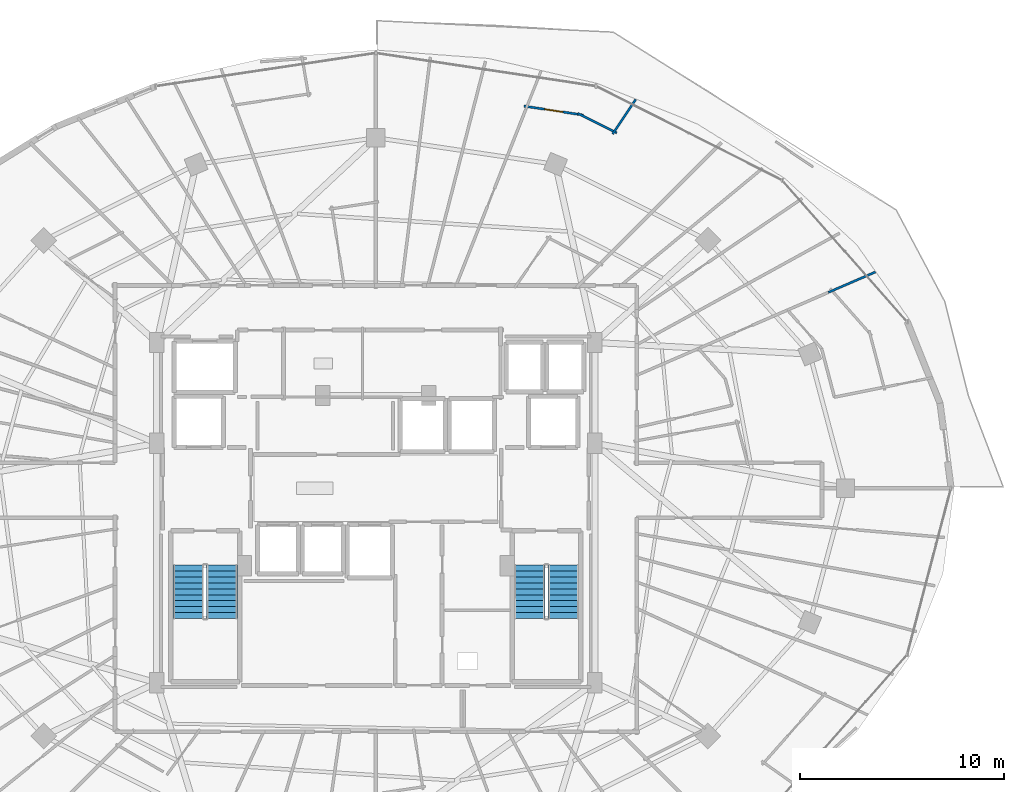
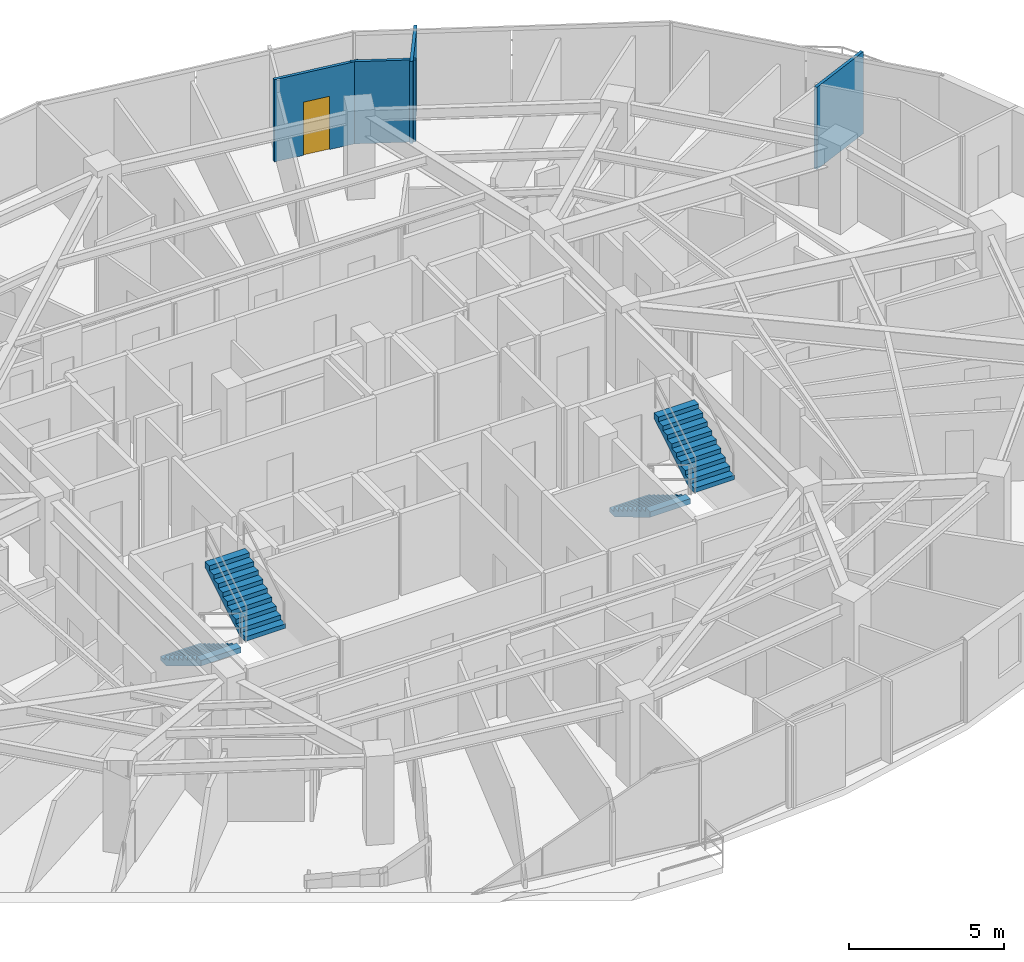
# One storey, part 31 of 34: 4 stair flights, 4 walls, 1 door, 1 opening, 2 elements without a shape of their own.
"""IFC4 building model written with IfcOpenShell, lengths in metres."""

from ifc_helpers import new_model, si_unit, direction, frame, frame_2d, origin, place, context, subcontext, project, spatial, polyline, rectangle, outline, extrude, material, layer, layer_set, type_object, element, fill, aggregate, save


model = new_model("IFC4")

# Units and contexts
model_context = context("Model", 3, precision=1e-05, world=origin(), true_north=direction((0.0, 1.0)))
body_context = subcontext(model_context, "Body", "Model", "MODEL_VIEW")
ifc_project = project(units=[si_unit("LENGTHUNIT", "METRE"), si_unit("AREAUNIT", "SQUARE_METRE"), si_unit("VOLUMEUNIT", "CUBIC_METRE"), si_unit("PLANEANGLEUNIT", "RADIAN"), si_unit("MASSUNIT", "GRAM", prefix="KILO")], contexts=[model_context])

# Site, building, storey
site_placement = place(None, origin())
site = spatial("IfcSite", under=ifc_project, at=site_placement, CompositionType="ELEMENT")
building_placement = place(site_placement, origin())
building = spatial("IfcBuilding", under=site, at=building_placement, Name="Vorneva Point Tower", CompositionType="ELEMENT")
storey_placement = place(building_placement, frame((0.0, 0.0, 182.60009765625)))
storey = spatial("IfcBuildingStorey", under=building, at=storey_placement, Name="L49", CompositionType="ELEMENT", Elevation=182.60009765625)

# Walls
ifc_material_1 = material(Name="Fire-rated acoustic gypsum stud partition", Category="gypsum")
ifc_layer = layer(ifc_material_1, 0.110107421875)
ifc_layer_set = layer_set([ifc_layer], Name="Fire-rated acoustic gypsum stud partition")
wall_type = type_object("IfcWallType", Name="WL-PART-110", PredefinedType="PARTITIONING", material=ifc_layer_set)
wall_1_placement = place(storey_placement, frame((60.20751953125, 35.609375, 0.0), z_axis=(0.0, 0.0, 1.0), x_axis=(0.917692098887, 0.397292350341, 0.0)))
element("IfcWall", 1, at=wall_1_placement, inside=storey, type_object=wall_type, Name="L49 Interior Partition 095", PredefinedType="PARTITIONING", context=body_context, shape_type="SweptSolid", body=[
    extrude(rectangle(XDim=2.5224609375, YDim=0.110107421875, at=frame_2d((1.26123046875, 0.0))), origin(), (0.0, 0.0, 1.0), 3.239990234375),
])
wall_2_placement = place(storey_placement, frame((49.823974609375, 43.432861328125, 0.0), z_axis=(0.0, 0.0, 1.0), x_axis=(-0.892614331311, 0.450821090388, 0.0)))
element("IfcWall", 2, at=wall_2_placement, inside=storey, type_object=wall_type, Name="L49 Interior Partition 111", PredefinedType="PARTITIONING", context=body_context, shape_type="SweptSolid", body=[
    extrude(rectangle(XDim=2.136474609375, YDim=0.110107421875, at=frame_2d((1.068359375, 0.0))), origin(), (0.0, 0.0, 1.0), 3.239990234375),
])

# Wall, opening, door
wall_3_placement = place(storey_placement, frame((48.180419921875, 44.31201171875, 0.0), z_axis=(0.0, 0.0, 1.0), x_axis=(-0.988815285508, 0.149145335648, 0.0)))
wall_3 = element("IfcWall", 3, at=wall_3_placement, inside=storey, type_object=wall_type, Name="L49 Interior Partition 112", PredefinedType="PARTITIONING", context=body_context, shape_type="SweptSolid", body=[
    extrude(rectangle(XDim=2.936767578125, YDim=0.110107421875, at=frame_2d((1.46826171875, 0.0))), origin(), (0.0, 0.0, 1.0), 3.239990234375),
])
opening_placement = place(wall_3_placement, frame((1.018310546875, 0.0, 0.0)))
opening = element("IfcOpeningElement", 4, at=opening_placement, cuts=wall_3, Name="Opening ID-01", PredefinedType="OPENING", context=body_context, shape_type="SweptSolid", body=[
    extrude(rectangle(XDim=0.89990234375, YDim=2.10009765625, at=frame_2d((0.449951171875, 1.050048828125))), frame((0.0, 0.06982421875, 0.0), z_axis=(0.0, -1.0, 0.0), x_axis=(1.0, 0.0, 0.0)), (0.0, 0.0, 1.0), 0.139892578125),
])
ifc_material_2 = material(Name="Engineered oak fire-rated door leaf", Category="wood")
door_type = type_object("IfcDoorType", Name="DR-ROOM-900", OperationType="NOTDEFINED", PredefinedType="DOOR", material=ifc_material_2)
door_placement = place(opening_placement, origin())
door = element("IfcDoor", 5, at=door_placement, inside=storey, type_object=door_type, Name="L49 Door Living and Dining Room L49-02 / Kitchen L49-02", OperationType="SINGLE_SWING_LEFT", OverallHeight=2.10009765625, OverallWidth=0.89990234375, PredefinedType="DOOR", context=body_context, shape_type="SweptSolid", body=[
    extrude(rectangle(XDim=0.89990234375, YDim=2.10009765625, at=frame_2d((0.449951171875, 1.050048828125))), frame((0.0, 0.02490234375, 0.0), z_axis=(0.0, -1.0, 0.0), x_axis=(1.0, 0.0, 0.0)), (0.0, 0.0, 1.0), 0.050048828125),
])
fill(opening, door)

# Wall
wall_4_placement = place(storey_placement, frame((50.7578125, 45.081298828125, 0.0), z_axis=(0.0, 0.0, 1.0), x_axis=(-0.55538833369, -0.831591124773, 0.0)))
element("IfcWall", 6, at=wall_4_placement, inside=storey, type_object=wall_type, Name="L49 Interior Partition 114", PredefinedType="PARTITIONING", context=body_context, shape_type="SweptSolid", body=[
    extrude(rectangle(XDim=2.04638671875, YDim=0.110107421875, at=frame_2d((1.023193359375, 0.0))), origin(), (0.0, 0.0, 1.0), 3.239990234375),
])

# Stair, stair flights
ifc_material_3 = material(Name="Concrete B50 (C40/50)", Category="concrete")
stair_type = type_object("IfcStairType", Name="ST-DOG-1500", PredefinedType="HALF_TURN_STAIR", material=ifc_material_3)
stair_1_placement = place(storey_placement, origin())
stair_1 = element("IfcStair", 7, at=stair_1_placement, inside=storey, type_object=stair_type, Name="L49 ST1", PredefinedType="HALF_TURN_STAIR")
stair_flight_type = type_object("IfcStairFlightType", Name="STF-1500", PredefinedType="STRAIGHT", material=ifc_material_3)
stair_flight_1_placement = place(storey_placement, frame((28.800048828125, 22.219970703125, 0.0), z_axis=(0.0, 0.0, 1.0), x_axis=(0.0, -1.0, 0.0)))
stair_flight_1 = element("IfcStairFlight", 8, at=stair_flight_1_placement, type_object=stair_flight_type, Name="ST1 flight 1", NumberOfRisers=10, NumberOfTreads=9, PredefinedType="STRAIGHT", RiserHeight=0.175, TreadLength=0.29, context=body_context, shape_type="SweptSolid", body=[
    extrude(outline(polyline([(0.0, 0.0), (0.0, 0.175048828125), (0.2900390625, 0.175048828125), (0.2900390625, 0.35009765625), (0.580078125, 0.35009765625), (0.580078125, 0.52490234375), (0.8701171875, 0.52490234375), (0.8701171875, 0.699951171875), (1.159912109375, 0.699951171875), (1.159912109375, 0.875), (1.449951171875, 0.875), (1.449951171875, 1.050048828125), (1.739990234375, 1.050048828125), (1.739990234375, 1.22509765625), (2.030029296875, 1.22509765625), (2.030029296875, 1.39990234375), (2.320068359375, 1.39990234375), (2.320068359375, 1.574951171875), (2.610107421875, 1.574951171875), (2.610107421875, 1.75), (2.610107421875, 1.36474609375), (0.34814453125, 0.0), (0.0, 0.0)])), frame((0.0, 0.75, 0.0), z_axis=(0.0, -1.0, 0.0), x_axis=(1.0, 0.0, 0.0)), (0.0, 0.0, 1.0), 1.5),
])
stair_flight_2_placement = place(storey_placement, frame((30.449951171875, 19.610107421875, 1.75), z_axis=(0.0, 0.0, 1.0), x_axis=(0.0, 1.0, 0.0)))
stair_flight_2 = element("IfcStairFlight", 9, at=stair_flight_2_placement, type_object=stair_flight_type, Name="ST1 flight 2", NumberOfRisers=10, NumberOfTreads=9, PredefinedType="STRAIGHT", RiserHeight=0.175, TreadLength=0.29, context=body_context, shape_type="SweptSolid", body=[
    extrude(outline(polyline([(0.0, 0.0), (0.0, 0.175048828125), (0.2900390625, 0.175048828125), (0.2900390625, 0.35009765625), (0.580078125, 0.35009765625), (0.580078125, 0.52490234375), (0.8701171875, 0.52490234375), (0.8701171875, 0.699951171875), (1.159912109375, 0.699951171875), (1.159912109375, 0.875), (1.449951171875, 0.875), (1.449951171875, 1.050048828125), (1.739990234375, 1.050048828125), (1.739990234375, 1.22509765625), (2.030029296875, 1.22509765625), (2.030029296875, 1.39990234375), (2.320068359375, 1.39990234375), (2.320068359375, 1.574951171875), (2.610107421875, 1.574951171875), (2.610107421875, 1.75), (2.610107421875, 1.36474609375), (0.34814453125, 0.0), (0.0, 0.0)])), frame((0.0, 0.75, 0.0), z_axis=(0.0, -1.0, 0.0), x_axis=(1.0, 0.0, 0.0)), (0.0, 0.0, 1.0), 1.5),
])
aggregate(stair_1, [stair_flight_1, stair_flight_2])

stair_2_placement = place(storey_placement, origin())
stair_2 = element("IfcStair", 10, at=stair_2_placement, inside=storey, type_object=stair_type, Name="L49 ST2", PredefinedType="HALF_TURN_STAIR")
stair_flight_3_placement = place(storey_placement, frame((45.550048828125, 22.219970703125, 0.0), z_axis=(0.0, 0.0, 1.0), x_axis=(0.0, -1.0, 0.0)))
stair_flight_3 = element("IfcStairFlight", 11, at=stair_flight_3_placement, type_object=stair_flight_type, Name="ST2 flight 1", NumberOfRisers=10, NumberOfTreads=9, PredefinedType="STRAIGHT", RiserHeight=0.175, TreadLength=0.29, context=body_context, shape_type="SweptSolid", body=[
    extrude(outline(polyline([(0.0, 0.0), (0.0, 0.175048828125), (0.2900390625, 0.175048828125), (0.2900390625, 0.35009765625), (0.580078125, 0.35009765625), (0.580078125, 0.52490234375), (0.8701171875, 0.52490234375), (0.8701171875, 0.699951171875), (1.159912109375, 0.699951171875), (1.159912109375, 0.875), (1.449951171875, 0.875), (1.449951171875, 1.050048828125), (1.739990234375, 1.050048828125), (1.739990234375, 1.22509765625), (2.030029296875, 1.22509765625), (2.030029296875, 1.39990234375), (2.320068359375, 1.39990234375), (2.320068359375, 1.574951171875), (2.610107421875, 1.574951171875), (2.610107421875, 1.75), (2.610107421875, 1.36474609375), (0.34814453125, 0.0), (0.0, 0.0)])), frame((0.0, 0.75, 0.0), z_axis=(0.0, -1.0, 0.0), x_axis=(1.0, 0.0, 0.0)), (0.0, 0.0, 1.0), 1.5),
])
stair_flight_4_placement = place(storey_placement, frame((47.199951171875, 19.610107421875, 1.75), z_axis=(0.0, 0.0, 1.0), x_axis=(0.0, 1.0, 0.0)))
stair_flight_4 = element("IfcStairFlight", 12, at=stair_flight_4_placement, type_object=stair_flight_type, Name="ST2 flight 2", NumberOfRisers=10, NumberOfTreads=9, PredefinedType="STRAIGHT", RiserHeight=0.175, TreadLength=0.29, context=body_context, shape_type="SweptSolid", body=[
    extrude(outline(polyline([(0.0, 0.0), (0.0, 0.175048828125), (0.2900390625, 0.175048828125), (0.2900390625, 0.35009765625), (0.580078125, 0.35009765625), (0.580078125, 0.52490234375), (0.8701171875, 0.52490234375), (0.8701171875, 0.699951171875), (1.159912109375, 0.699951171875), (1.159912109375, 0.875), (1.449951171875, 0.875), (1.449951171875, 1.050048828125), (1.739990234375, 1.050048828125), (1.739990234375, 1.22509765625), (2.030029296875, 1.22509765625), (2.030029296875, 1.39990234375), (2.320068359375, 1.39990234375), (2.320068359375, 1.574951171875), (2.610107421875, 1.574951171875), (2.610107421875, 1.75), (2.610107421875, 1.36474609375), (0.34814453125, 0.0), (0.0, 0.0)])), frame((0.0, 0.75, 0.0), z_axis=(0.0, -1.0, 0.0), x_axis=(1.0, 0.0, 0.0)), (0.0, 0.0, 1.0), 1.5),
])
aggregate(stair_2, [stair_flight_3, stair_flight_4])

save(model, "model.ifc")
